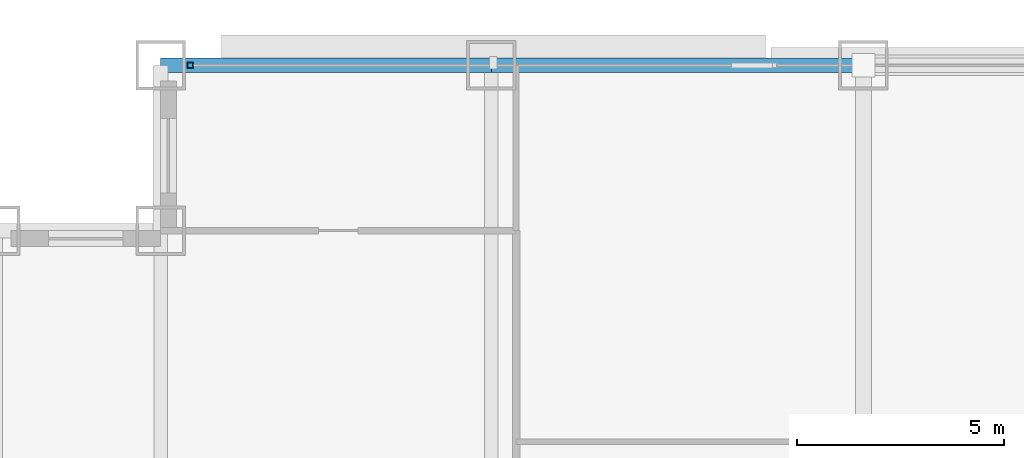
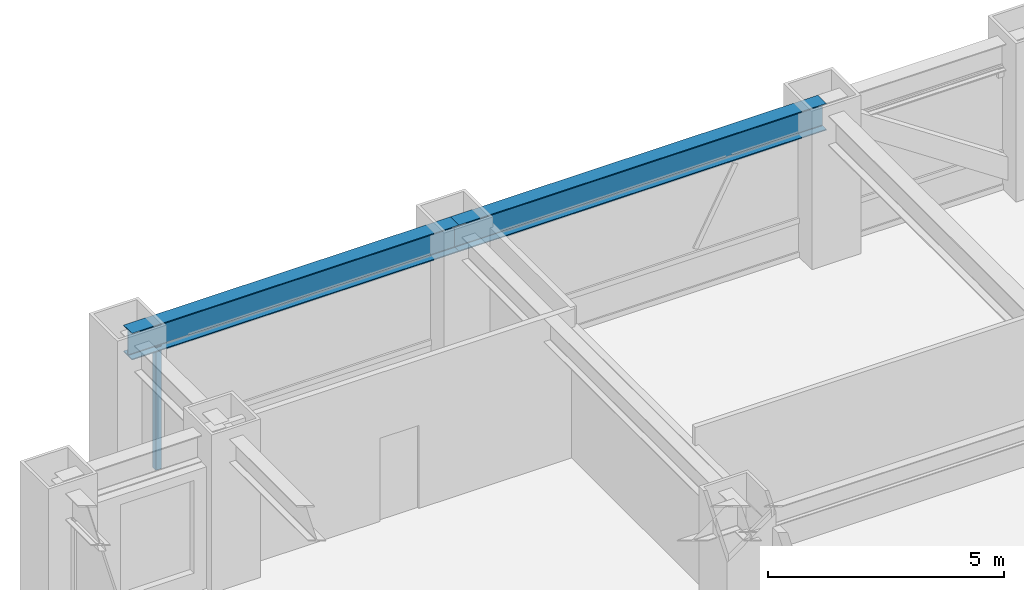
# One storey, part 17 of 32: 2 beams, 1 member, 1 element without a shape of its own.
"""IFC4 building model written with IfcOpenShell, lengths in metres."""

import ifcopenshell
import ifcopenshell.guid

model = None  # the IFC model being written
_history = None  # IfcOwnerHistory: only IFC2X3 demands one
_inside = {}  # id of a spatial element -> (the spatial element, [elements in it])
_under = {}  # id of a project, library or spatial element -> (it, [spatial elements below it])
_declared = {}  # id of a project -> (the project, [libraries it declares])
_typed = {}  # id of a type object -> (the type object, [elements of that type])
_made_of = {}  # id of a material, layer set ... -> (it, [elements and type objects made of it])


def new_model(schema):
    """Start an empty IFC model of exactly this schema.

    Asked for "IFC4X3", IfcOpenShell would pick the latest addendum, in which some entities
    have other attributes; the version numbers below select the first issue.
    IFC2X3 requires an IfcOwnerHistory on every rooted entity: one is made here for all.
    """
    global model, _history
    if schema == "IFC4X3":
        model = ifcopenshell.file(schema_version=(4, 3, 0, 0))
    else:
        model = ifcopenshell.file(schema=schema)
    _inside.clear()
    _under.clear()
    _declared.clear()
    _typed.clear()
    _made_of.clear()
    _history = None
    if model.schema == "IFC2X3":
        org = make("IfcOrganization", Name="unknown")
        user = make(
            "IfcPersonAndOrganization",
            ThePerson=make("IfcPerson", FamilyName="unknown"),
            TheOrganization=org,
        )
        app = make(
            "IfcApplication",
            ApplicationDeveloper=org,
            Version="unknown",
            ApplicationFullName="unknown",
            ApplicationIdentifier="unknown",
        )
        _history = make(
            "IfcOwnerHistory",
            OwningUser=user,
            OwningApplication=app,
            ChangeAction="ADDED",
            CreationDate=0,
        )
    return model


def make(cls, **values):
    """One entity of the class cls with the attributes given. An attribute that is None is left unset."""
    return model.create_entity(
        cls, **{name: value for name, value in values.items() if value is not None}
    )


def rooted(cls, **values):
    """An entity with a GlobalId (a new one), such as an element, a storey or a relation."""
    return make(cls, GlobalId=ifcopenshell.guid.new(), OwnerHistory=_history, **values)


def si_unit(unit_type, name, prefix=None):
    """IfcSIUnit, for example si_unit("LENGTHUNIT", "METRE", prefix="MILLI")."""
    return make("IfcSIUnit", UnitType=unit_type, Prefix=prefix, Name=name)


def assignment(units):
    """IfcUnitAssignment: the units of a project."""
    return None if units is None else make("IfcUnitAssignment", Units=units)


def point(xyz):
    """IfcCartesianPoint."""
    return None if xyz is None else make("IfcCartesianPoint", Coordinates=xyz)


def direction(xyz):
    """IfcDirection."""
    return None if xyz is None else make("IfcDirection", DirectionRatios=xyz)


def frame(location, z_axis=None, x_axis=None):
    """IfcAxis2Placement3D, a coordinate frame: its origin and axes. An axis left out is left unset."""
    return make(
        "IfcAxis2Placement3D",
        Location=point(location),
        Axis=direction(z_axis),
        RefDirection=direction(x_axis),
    )


def frame_2d(location, x_axis=None):
    """IfcAxis2Placement2D, a coordinate frame in the plane: its origin and x axis."""
    return make(
        "IfcAxis2Placement2D", Location=point(location), RefDirection=direction(x_axis)
    )


def origin():
    """The frame at (0, 0, 0) with its axes left unset."""
    return frame((0.0, 0.0, 0.0))


def origin_2d():
    """The frame at (0, 0) in the plane with its x axis left unset."""
    return frame_2d((0.0, 0.0))


def place(relative_to, where):
    """IfcLocalPlacement: puts the frame where relative to a parent placement (None: the world)."""
    return make(
        "IfcLocalPlacement", PlacementRelTo=relative_to, RelativePlacement=where
    )


def context(
    kind, dimensions, precision=None, world=None, true_north=None, identifier=None
):
    """IfcGeometricRepresentationContext, for example the 3D "Model" context."""
    return make(
        "IfcGeometricRepresentationContext",
        ContextIdentifier=identifier,
        ContextType=kind,
        CoordinateSpaceDimension=dimensions,
        Precision=precision,
        WorldCoordinateSystem=world,
        TrueNorth=true_north,
    )


def subcontext(parent, identifier, kind, view, scale=None):
    """IfcGeometricRepresentationSubContext, for example "Body" below "Model"."""
    return make(
        "IfcGeometricRepresentationSubContext",
        ContextIdentifier=identifier,
        ContextType=kind,
        ParentContext=parent,
        TargetScale=scale,
        TargetView=view,
    )


def project(units=None, contexts=None):
    """IfcProject with its units and contexts."""
    return rooted(
        "IfcProject",
        Name="project",
        RepresentationContexts=contexts,
        UnitsInContext=assignment(units),
    )


def spatial(cls, under=None, at=None, **own):
    """A site, building, storey or space (cls), placed at a placement, below another one or the project."""
    s = rooted(cls, ObjectPlacement=at, **own)
    if under is not None:
        _under.setdefault(under.id(), (under, []))[1].append(s)
    return s


def profile(cls, at=None, kind="AREA", **sizes):
    """A parametric profile (cls). Its sizes go by their IFC names, for example OverallWidth=200.0."""
    return make(cls, ProfileType=kind, Position=at, **sizes)


def hollow_rectangle(**sizes):
    """IfcRectangleHollowProfileDef."""
    return profile("IfcRectangleHollowProfileDef", **sizes)


def i_section(**sizes):
    """IfcIShapeProfileDef."""
    return profile("IfcIShapeProfileDef", **sizes)


def extrude(swept, where, along, depth):
    """IfcExtrudedAreaSolid: the profile swept, set in the frame where, extruded along a direction by depth."""
    return make(
        "IfcExtrudedAreaSolid",
        SweptArea=swept,
        Position=where,
        ExtrudedDirection=direction(along),
        Depth=depth,
    )


def shape(context_of_items, identifier, shape_type, items):
    """IfcShapeRepresentation: the items that make up one representation, for example the "Body"."""
    return make(
        "IfcShapeRepresentation",
        ContextOfItems=context_of_items,
        RepresentationIdentifier=identifier,
        RepresentationType=shape_type,
        Items=items,
    )


def source(mapping_origin, context_of_items, identifier, shape_type, items):
    """IfcRepresentationMap: a shape defined once, which mapped items show again and again."""
    return make(
        "IfcRepresentationMap",
        MappingOrigin=mapping_origin,
        MappedRepresentation=shape(context_of_items, identifier, shape_type, items),
    )


def transform(
    local_origin,
    x_axis=None,
    y_axis=None,
    z_axis=None,
    scale=None,
    scale2=None,
    scale3=None,
    uniform=True,
):
    """IfcCartesianTransformationOperator3D, or its non-uniform kind. x_axis, y_axis, z_axis: its Axis1, 2, 3."""
    if uniform:
        return make(
            "IfcCartesianTransformationOperator3D",
            Axis1=direction(x_axis),
            Axis2=direction(y_axis),
            LocalOrigin=point(local_origin),
            Scale=scale,
            Axis3=direction(z_axis),
        )
    return make(
        "IfcCartesianTransformationOperator3DnonUniform",
        Axis1=direction(x_axis),
        Axis2=direction(y_axis),
        LocalOrigin=point(local_origin),
        Scale=scale,
        Axis3=direction(z_axis),
        Scale2=scale2,
        Scale3=scale3,
    )


def mapped(mapping_source, mapping_target):
    """IfcMappedItem: shows the shape of a source again, moved by a transform."""
    return make(
        "IfcMappedItem", MappingSource=mapping_source, MappingTarget=mapping_target
    )


def material(Name=None, Category=None):
    """IfcMaterial."""
    return make("IfcMaterial", Name=Name, Category=Category)


def material_profile(
    of_material, cross_section, Name=None, Category=None, Priority=None
):
    """IfcMaterialProfile: a cross section and its material."""
    return make(
        "IfcMaterialProfile",
        Name=Name,
        Material=of_material,
        Profile=cross_section,
        Priority=Priority,
        Category=Category,
    )


def profile_set(profiles, Name=None, composite=None):
    """IfcMaterialProfileSet."""
    return make(
        "IfcMaterialProfileSet",
        Name=Name,
        MaterialProfiles=profiles,
        CompositeProfile=composite,
    )


def made_of(thing, what):
    """Note that an element or type object is made of a material, layer set ...; save() writes the relation."""
    if what is not None:
        _made_of.setdefault(what.id(), (what, []))[1].append(thing)
    return thing


def type_object(cls, material=None, **own):
    """A type object (cls), such as IfcWallType, which elements share."""
    return made_of(rooted(cls, **own), material)


def element(
    cls,
    number,
    at=None,
    inside=None,
    cuts=None,
    type_object=None,
    material=None,
    context=None,
    identifier="Body",
    shape_type=None,
    held_by="IfcProductDefinitionShape",
    body=None,
    shapes=None,
    **own,
):
    """One element of the class cls, such as IfcWall. Its Tag is "e" and its number.

    at: its placement. inside: the storey or other place that contains it. cuts: it is an
    opening in that element (IfcRelVoidsElement). A single representation is given by context,
    identifier, shape_type and body (its items); several are given by shapes. held_by: the class
    of the entity that holds the representations. save() writes the other relations.
    """
    e = rooted(cls, Tag="e%d" % number, ObjectPlacement=at, **own)
    if body is not None:
        shapes = [shape(context, identifier, shape_type, body)]
    if shapes is not None:
        e.Representation = make(held_by, Representations=shapes)
    if inside is not None:
        _inside.setdefault(inside.id(), (inside, []))[1].append(e)
    if cuts is not None:
        rooted(
            "IfcRelVoidsElement", RelatingBuildingElement=cuts, RelatedOpeningElement=e
        )
    if type_object is not None:
        _typed.setdefault(type_object.id(), (type_object, []))[1].append(e)
    return made_of(e, material)


def aggregate(whole, parts):
    """IfcRelAggregates: a whole, such as a stair, and the parts it consists of."""
    return rooted("IfcRelAggregates", RelatingObject=whole, RelatedObjects=parts)


def save(model, path):
    """Write the relations noted so far, then the file.

    IfcRelAggregates (storeys below a building ...), IfcRelContainedInSpatialStructure (elements
    in a storey), IfcRelDefinesByType, IfcRelAssociatesMaterial and IfcRelDeclares: one each for
    every whole, place, type object, material and project.
    """
    for whole, parts in _under.values():
        aggregate(whole, parts)
    for where, things in _inside.values():
        rooted(
            "IfcRelContainedInSpatialStructure",
            RelatedElements=things,
            RelatingStructure=where,
        )
    for kind, things in _typed.values():
        rooted("IfcRelDefinesByType", RelatedObjects=things, RelatingType=kind)
    for what, things in _made_of.values():
        rooted("IfcRelAssociatesMaterial", RelatedObjects=things, RelatingMaterial=what)
    for by, libraries in _declared.values():
        rooted("IfcRelDeclares", RelatingContext=by, RelatedDefinitions=libraries)
    model.write(path)


model = new_model("IFC4")

# Units and contexts
model_context = context("Model", 3, precision=1e-05, world=origin(), true_north=direction((0.0, 1.0)))
body_context = subcontext(model_context, "Body", "Model", "MODEL_VIEW")
ifc_project = project(units=[si_unit("LENGTHUNIT", "METRE"), si_unit("AREAUNIT", "SQUARE_METRE"), si_unit("VOLUMEUNIT", "CUBIC_METRE"), si_unit("PLANEANGLEUNIT", "RADIAN"), si_unit("MASSUNIT", "GRAM", prefix="KILO")], contexts=[model_context])

# Site, building, storey
site_placement = place(None, origin())
site = spatial("IfcSite", under=ifc_project, at=site_placement, CompositionType="ELEMENT")
building_placement = place(site_placement, origin())
building = spatial("IfcBuilding", under=site, at=building_placement, Name="Khorayat Bourse Tower", CompositionType="ELEMENT")
storey_placement = place(building_placement, frame((0.0, 0.0, 91.39990234375)))
storey = spatial("IfcBuildingStorey", under=building, at=storey_placement, Name="L20", CompositionType="ELEMENT", Elevation=91.39990234375)

# Beams
ifc_material_1 = material(Name="Steel ASTM A992 Grade 50", Category="steel")
ifc_material_profile_1 = material_profile(ifc_material_1, i_section(OverallWidth=0.35498046875, OverallDepth=0.695068359375, WebThickness=0.015380859375, FlangeThickness=0.02490234375, FilletRadius=0.01806640625, at=origin_2d()), Name="W690X217")
ifc_profile_set_1 = profile_set([ifc_material_profile_1], Name="Steel ASTM A992 Grade 50")
beam_type = type_object("IfcBeamType", Name="BM-SPAN-690", PredefinedType="SPANDREL", material=ifc_profile_set_1)
shared_shape_1 = source(origin(), body_context, "Body", "SweptSolid", [
    extrude(i_section(OverallWidth=0.35498046875, OverallDepth=0.695068359375, WebThickness=0.015380859375, FlangeThickness=0.02490234375, FilletRadius=0.01806640625, at=origin_2d()), origin(), (0.0, 0.0, 1.0), 9.0),
])
beam_1_placement = place(storey_placement, frame((-20.0, 32.0, 3.49267578125), z_axis=(1.0, 0.0, 0.0), x_axis=(0.0, 1.0, 0.0)))
element("IfcBeam", 1, at=beam_1_placement, inside=storey, type_object=beam_type, Name="L20 BM-SPAN-690 BM-L20-SPN-050", PredefinedType="SPANDREL", context=body_context, shape_type="MappedRepresentation", body=[
    mapped(shared_shape_1, transform((0.0, 0.0, 0.0), scale=1.0)),
])
shared_shape_2 = source(origin(), body_context, "Body", "SweptSolid", [
    extrude(i_section(OverallWidth=0.35498046875, OverallDepth=0.695068359375, WebThickness=0.015380859375, FlangeThickness=0.02490234375, FilletRadius=0.01806640625, at=origin_2d()), origin(), (0.0, 0.0, 1.0), 8.0),
])
beam_2_placement = place(storey_placement, frame((-28.0, 32.0, 3.49267578125), z_axis=(1.0, 0.0, 0.0), x_axis=(0.0, 1.0, 0.0)))
element("IfcBeam", 2, at=beam_2_placement, inside=storey, type_object=beam_type, Name="L20 BM-SPAN-690 BM-L20-SPN-051", PredefinedType="SPANDREL", context=body_context, shape_type="MappedRepresentation", body=[
    mapped(shared_shape_2, transform((0.0, 0.0, 0.0), scale=1.0)),
])

# Curtain wall, member
ifc_material_2 = material(Name="Aluminium EN AW-6063 T6", Category="aluminium")
curtain_wall_type = type_object("IfcCurtainWallType", Name="CW-SYS-02", PredefinedType="NOTDEFINED", material=ifc_material_2)
curtain_wall_placement = place(storey_placement, origin())
curtain_wall = element("IfcCurtainWall", 3, at=curtain_wall_placement, inside=storey, type_object=curtain_wall_type, Name="L20 Curtain Wall CW-L20-N1", PredefinedType="NOTDEFINED")
ifc_material_profile_2 = material_profile(ifc_material_2, hollow_rectangle(XDim=0.139892578125, YDim=0.139892578125, WallThickness=0.006103515625, at=origin_2d()), Name="ALU 140x140x6")
ifc_profile_set_2 = profile_set([ifc_material_profile_2], Name="Aluminium EN AW-6063 T6")
member_type = type_object("IfcMemberType", Name="CWM-VERT-140", PredefinedType="MULLION", material=ifc_profile_set_2)
shared_shape_3 = source(origin(), body_context, "Body", "SweptSolid", [
    extrude(hollow_rectangle(XDim=0.139892578125, YDim=0.139892578125, WallThickness=0.006103515625, at=origin_2d()), origin(), (0.0, 0.0, 1.0), 3.190185546875),
])
member_placement = place(storey_placement, frame((-27.280029296875, 32.0, 0.0), z_axis=(0.0, 0.0, 1.0), x_axis=(0.0, 1.0, 0.0)))
member = element("IfcMember", 4, at=member_placement, type_object=member_type, Name="CW-L20-N1 Vertical Mullion 1", PredefinedType="MULLION", context=body_context, shape_type="MappedRepresentation", body=[
    mapped(shared_shape_3, transform((0.0, 0.0, 0.0), scale=1.0)),
])
aggregate(curtain_wall, [member])

save(model, "model.ifc")
